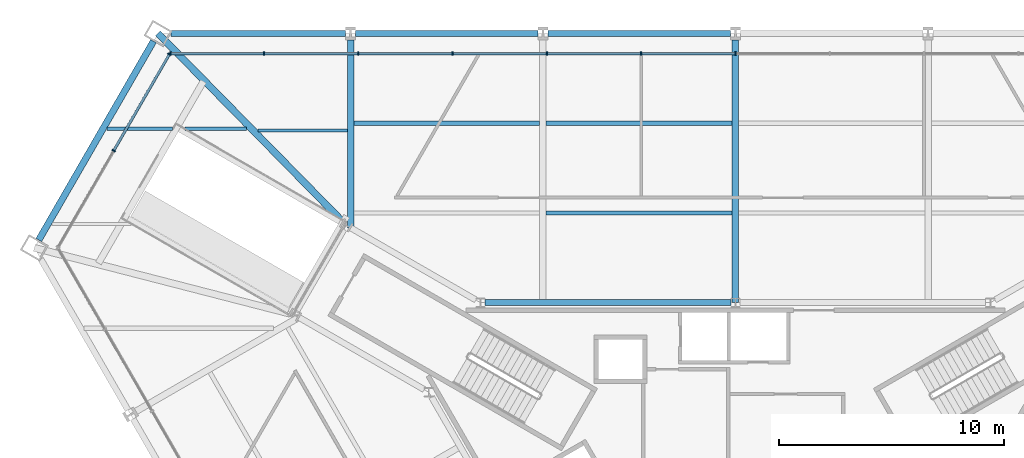
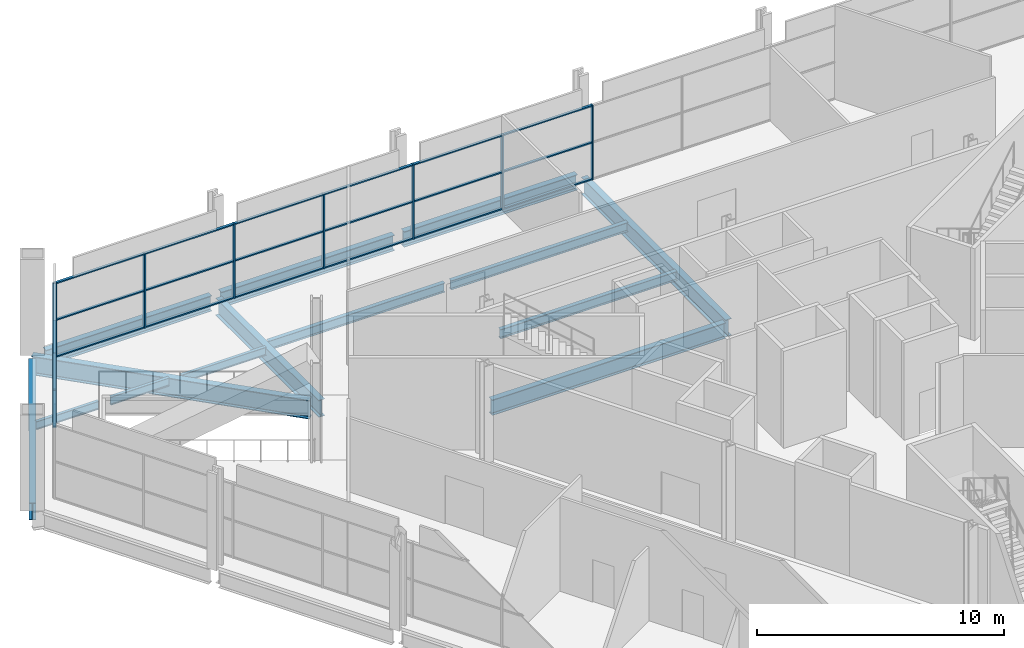
# One storey, part 7 of 18: 30 members, 14 beams, 2 elements without a shape of their own.
"""IFC4 building model written with IfcOpenShell, lengths in metres."""

from ifc_helpers import new_model, si_unit, direction, frame, origin, origin_2d, place, context, subcontext, project, spatial, rectangle, i_section, extrude, material, layer, layer_set, material_profile, profile_set, type_object, element, aggregate, save


model = new_model("IFC4")

# Units and contexts
model_context = context("Model", 3, precision=1e-05, world=origin(), true_north=direction((0.0, 1.0)))
body_context = subcontext(model_context, "Body", "Model", "MODEL_VIEW")
ifc_project = project(units=[si_unit("LENGTHUNIT", "METRE"), si_unit("AREAUNIT", "SQUARE_METRE"), si_unit("VOLUMEUNIT", "CUBIC_METRE"), si_unit("PLANEANGLEUNIT", "RADIAN"), si_unit("MASSUNIT", "GRAM", prefix="KILO")], contexts=[model_context])

# Site, building, storey
site_placement = place(None, origin())
site = spatial("IfcSite", under=ifc_project, at=site_placement, CompositionType="ELEMENT")
building_placement = place(site_placement, origin())
building = spatial("IfcBuilding", under=site, at=building_placement, Name="Verrane Prism Tower", CompositionType="ELEMENT")
storey_placement = place(building_placement, frame((0.0, 0.0, 27.199951171875)))
storey = spatial("IfcBuildingStorey", under=building, at=storey_placement, Name="L04", CompositionType="ELEMENT", Elevation=27.199951171875)

# Curtain wall, members
ifc_material_1 = material(Name="Aluminium and glass curtain wall", Category="aluminium")
ifc_layer = layer(ifc_material_1, 0.199951171875)
ifc_layer_set = layer_set([ifc_layer], Name="CWB-1 retail curtain wall")
curtain_wall_type = type_object("IfcCurtainWallType", Name="CWB-1 retail curtain wall", PredefinedType="NOTDEFINED", material=ifc_layer_set)
curtain_wall_1_placement = place(storey_placement, origin())
curtain_wall_1 = element("IfcCurtainWall", 1, at=curtain_wall_1_placement, inside=storey, type_object=curtain_wall_type, Name="Retail curtain wall L04 2", PredefinedType="NOTDEFINED")
ifc_material_2 = material(Name="Aluminium", Category="aluminium")
ifc_material_profile_1 = material_profile(ifc_material_2, rectangle(XDim=0.159912109375, YDim=0.06005859375, at=origin_2d()), Name="CWB-M 60x160 mullion")
ifc_profile_set_1 = profile_set([ifc_material_profile_1], Name="Aluminium")
member_type_1 = type_object("IfcMemberType", Name="CWB-M 60x160 mullion", PredefinedType="MULLION", material=ifc_profile_set_1)
member_1_placement = place(storey_placement, frame((0.0, 20.27001953125, 0.0), z_axis=(0.0, 0.0, 1.0), x_axis=(0.0, -1.0, 0.0)))
member_1 = element("IfcMember", 2, at=member_1_placement, type_object=member_type_1, Name="CWB42 mullion 7", PredefinedType="MULLION", context=body_context, shape_type="SweptSolid", body=[
    extrude(rectangle(XDim=0.159912109375, YDim=0.06005859375, at=origin_2d()), origin(), (0.0, 0.0, 1.0), 3.68994140625),
])
member_2_placement = place(storey_placement, frame((-4.19140625, 20.27001953125, 0.0), z_axis=(0.0, 0.0, 1.0), x_axis=(0.0, -1.0, 0.0)))
member_2 = element("IfcMember", 3, at=member_2_placement, type_object=member_type_1, Name="CWB42 mullion 8", PredefinedType="MULLION", context=body_context, shape_type="SweptSolid", body=[
    extrude(rectangle(XDim=0.159912109375, YDim=0.06005859375, at=origin_2d()), origin(), (0.0, 0.0, 1.0), 3.68994140625),
])
member_3_placement = place(storey_placement, frame((-8.382568359375, 20.27001953125, 0.0), z_axis=(0.0, 0.0, 1.0), x_axis=(0.0, -1.0, 0.0)))
member_3 = element("IfcMember", 4, at=member_3_placement, type_object=member_type_1, Name="CWB42 mullion 9", PredefinedType="MULLION", context=body_context, shape_type="SweptSolid", body=[
    extrude(rectangle(XDim=0.159912109375, YDim=0.06005859375, at=origin_2d()), origin(), (0.0, 0.0, 1.0), 3.68994140625),
])
member_4_placement = place(storey_placement, frame((-12.573974609375, 20.27001953125, 0.0), z_axis=(0.0, 0.0, 1.0), x_axis=(0.0, -1.0, 0.0)))
member_4 = element("IfcMember", 5, at=member_4_placement, type_object=member_type_1, Name="CWB42 mullion 10", PredefinedType="MULLION", context=body_context, shape_type="SweptSolid", body=[
    extrude(rectangle(XDim=0.159912109375, YDim=0.06005859375, at=origin_2d()), origin(), (0.0, 0.0, 1.0), 3.68994140625),
])
member_5_placement = place(storey_placement, frame((-16.76513671875, 20.27001953125, 0.0), z_axis=(0.0, 0.0, 1.0), x_axis=(0.0, -1.0, 0.0)))
member_5 = element("IfcMember", 6, at=member_5_placement, type_object=member_type_1, Name="CWB42 mullion 11", PredefinedType="MULLION", context=body_context, shape_type="SweptSolid", body=[
    extrude(rectangle(XDim=0.159912109375, YDim=0.06005859375, at=origin_2d()), origin(), (0.0, 0.0, 1.0), 3.68994140625),
])
member_6_placement = place(storey_placement, frame((-20.95654296875, 20.27001953125, 0.0), z_axis=(0.0, 0.0, 1.0), x_axis=(0.0, -1.0, 0.0)))
member_6 = element("IfcMember", 7, at=member_6_placement, type_object=member_type_1, Name="CWB42 mullion 12", PredefinedType="MULLION", context=body_context, shape_type="SweptSolid", body=[
    extrude(rectangle(XDim=0.159912109375, YDim=0.06005859375, at=origin_2d()), origin(), (0.0, 0.0, 1.0), 3.68994140625),
])
member_7_placement = place(storey_placement, frame((-25.117919921875, 20.27001953125, 0.0), z_axis=(0.0, 0.0, 1.0), x_axis=(0.0, -1.0, 0.0)))
member_7 = element("IfcMember", 8, at=member_7_placement, type_object=member_type_1, Name="CWB42 mullion 13", PredefinedType="MULLION", context=body_context, shape_type="SweptSolid", body=[
    extrude(rectangle(XDim=0.159912109375, YDim=0.06005859375, at=origin_2d()), origin(), (0.0, 0.0, 1.0), 3.68994140625),
])

curtain_wall_2_placement = place(storey_placement, origin())
curtain_wall_2 = element("IfcCurtainWall", 9, at=curtain_wall_2_placement, inside=storey, type_object=curtain_wall_type, Name="Retail curtain wall L04 3", PredefinedType="NOTDEFINED")
member_8_placement = place(storey_placement, frame((-25.162841796875, 20.244140625, 0.0), z_axis=(0.0, 0.0, 1.0), x_axis=(0.866025871, -0.499999190758, 0.0)))
member_8 = element("IfcMember", 10, at=member_8_placement, type_object=member_type_1, Name="CWB43 mullion 1", PredefinedType="MULLION", context=body_context, shape_type="SweptSolid", body=[
    extrude(rectangle(XDim=0.159912109375, YDim=0.06005859375, at=origin_2d()), origin(), (0.0, 0.0, 1.0), 3.68994140625),
])
member_9_placement = place(storey_placement, frame((-27.63818359375, 15.956787109375, 0.0), z_axis=(0.0, 0.0, 1.0), x_axis=(0.866025871, -0.499999190758, 0.0)))
member_9 = element("IfcMember", 11, at=member_9_placement, type_object=member_type_1, Name="CWB43 mullion 2", PredefinedType="MULLION", context=body_context, shape_type="SweptSolid", body=[
    extrude(rectangle(XDim=0.159912109375, YDim=0.06005859375, at=origin_2d()), origin(), (0.0, 0.0, 1.0), 3.68994140625),
])

# Member
ifc_material_3 = material(Name="Aluminium", Category="aluminium")
ifc_material_profile_2 = material_profile(ifc_material_3, rectangle(XDim=0.1201171875, YDim=0.06005859375, at=origin_2d()), Name="CWB-T 60x120 transom")
ifc_profile_set_2 = profile_set([ifc_material_profile_2], Name="Aluminium")
member_type_2 = type_object("IfcMemberType", Name="CWB-T 60x120 transom", PredefinedType="USERDEFINED", material=ifc_profile_set_2)
member_10_placement = place(storey_placement, frame((-0.030029296875, 20.27001953125, 0.030029296875), z_axis=(-1.0, 0.0, 0.0), x_axis=(0.0, -1.0, 0.0)))
member_10 = element("IfcMember", 12, at=member_10_placement, type_object=member_type_2, Name="CWB42 transom 7.1", ObjectType="TRANSOM", PredefinedType="USERDEFINED", context=body_context, shape_type="SweptSolid", body=[
    extrude(rectangle(XDim=0.1201171875, YDim=0.06005859375, at=origin_2d()), origin(), (0.0, 0.0, 1.0), 4.13134765625),
])

member_11_placement = place(storey_placement, frame((-0.030029296875, 20.27001953125, 1.844970703125), z_axis=(-1.0, 0.0, 0.0), x_axis=(0.0, -1.0, 0.0)))
member_11 = element("IfcMember", 13, at=member_11_placement, type_object=member_type_2, Name="CWB42 transom 7.2", ObjectType="TRANSOM", PredefinedType="USERDEFINED", context=body_context, shape_type="SweptSolid", body=[
    extrude(rectangle(XDim=0.1201171875, YDim=0.06005859375, at=origin_2d()), origin(), (0.0, 0.0, 1.0), 4.13134765625),
])

member_12_placement = place(storey_placement, frame((-0.030029296875, 20.27001953125, 3.66015625), z_axis=(-1.0, 0.0, 0.0), x_axis=(0.0, -1.0, 0.0)))
member_12 = element("IfcMember", 14, at=member_12_placement, type_object=member_type_2, Name="CWB42 transom 7.3", ObjectType="TRANSOM", PredefinedType="USERDEFINED", context=body_context, shape_type="SweptSolid", body=[
    extrude(rectangle(XDim=0.1201171875, YDim=0.06005859375, at=origin_2d()), origin(), (0.0, 0.0, 1.0), 4.13134765625),
])

member_13_placement = place(storey_placement, frame((-4.221435546875, 20.27001953125, 0.030029296875), z_axis=(-1.0, 0.0, 0.0), x_axis=(0.0, -1.0, 0.0)))
member_13 = element("IfcMember", 15, at=member_13_placement, type_object=member_type_2, Name="CWB42 transom 8.1", ObjectType="TRANSOM", PredefinedType="USERDEFINED", context=body_context, shape_type="SweptSolid", body=[
    extrude(rectangle(XDim=0.1201171875, YDim=0.06005859375, at=origin_2d()), origin(), (0.0, 0.0, 1.0), 4.131103515625),
])

member_14_placement = place(storey_placement, frame((-4.221435546875, 20.27001953125, 1.844970703125), z_axis=(-1.0, 0.0, 0.0), x_axis=(0.0, -1.0, 0.0)))
member_14 = element("IfcMember", 16, at=member_14_placement, type_object=member_type_2, Name="CWB42 transom 8.2", ObjectType="TRANSOM", PredefinedType="USERDEFINED", context=body_context, shape_type="SweptSolid", body=[
    extrude(rectangle(XDim=0.1201171875, YDim=0.06005859375, at=origin_2d()), origin(), (0.0, 0.0, 1.0), 4.131103515625),
])

member_15_placement = place(storey_placement, frame((-4.221435546875, 20.27001953125, 3.66015625), z_axis=(-1.0, 0.0, 0.0), x_axis=(0.0, -1.0, 0.0)))
member_15 = element("IfcMember", 17, at=member_15_placement, type_object=member_type_2, Name="CWB42 transom 8.3", ObjectType="TRANSOM", PredefinedType="USERDEFINED", context=body_context, shape_type="SweptSolid", body=[
    extrude(rectangle(XDim=0.1201171875, YDim=0.06005859375, at=origin_2d()), origin(), (0.0, 0.0, 1.0), 4.131103515625),
])

member_16_placement = place(storey_placement, frame((-8.41259765625, 20.27001953125, 0.030029296875), z_axis=(-1.0, 0.0, 0.0), x_axis=(0.0, -1.0, 0.0)))
member_16 = element("IfcMember", 18, at=member_16_placement, type_object=member_type_2, Name="CWB42 transom 9.1", ObjectType="TRANSOM", PredefinedType="USERDEFINED", context=body_context, shape_type="SweptSolid", body=[
    extrude(rectangle(XDim=0.1201171875, YDim=0.06005859375, at=origin_2d()), origin(), (0.0, 0.0, 1.0), 4.13134765625),
])

member_17_placement = place(storey_placement, frame((-8.41259765625, 20.27001953125, 1.844970703125), z_axis=(-1.0, 0.0, 0.0), x_axis=(0.0, -1.0, 0.0)))
member_17 = element("IfcMember", 19, at=member_17_placement, type_object=member_type_2, Name="CWB42 transom 9.2", ObjectType="TRANSOM", PredefinedType="USERDEFINED", context=body_context, shape_type="SweptSolid", body=[
    extrude(rectangle(XDim=0.1201171875, YDim=0.06005859375, at=origin_2d()), origin(), (0.0, 0.0, 1.0), 4.13134765625),
])

member_18_placement = place(storey_placement, frame((-8.41259765625, 20.27001953125, 3.66015625), z_axis=(-1.0, 0.0, 0.0), x_axis=(0.0, -1.0, 0.0)))
member_18 = element("IfcMember", 20, at=member_18_placement, type_object=member_type_2, Name="CWB42 transom 9.3", ObjectType="TRANSOM", PredefinedType="USERDEFINED", context=body_context, shape_type="SweptSolid", body=[
    extrude(rectangle(XDim=0.1201171875, YDim=0.06005859375, at=origin_2d()), origin(), (0.0, 0.0, 1.0), 4.13134765625),
])

member_19_placement = place(storey_placement, frame((-12.60400390625, 20.27001953125, 0.030029296875), z_axis=(-1.0, 0.0, 0.0), x_axis=(0.0, -1.0, 0.0)))
member_19 = element("IfcMember", 21, at=member_19_placement, type_object=member_type_2, Name="CWB42 transom 10.1", ObjectType="TRANSOM", PredefinedType="USERDEFINED", context=body_context, shape_type="SweptSolid", body=[
    extrude(rectangle(XDim=0.1201171875, YDim=0.06005859375, at=origin_2d()), origin(), (0.0, 0.0, 1.0), 4.13134765625),
])

member_20_placement = place(storey_placement, frame((-12.60400390625, 20.27001953125, 1.844970703125), z_axis=(-1.0, 0.0, 0.0), x_axis=(0.0, -1.0, 0.0)))
member_20 = element("IfcMember", 22, at=member_20_placement, type_object=member_type_2, Name="CWB42 transom 10.2", ObjectType="TRANSOM", PredefinedType="USERDEFINED", context=body_context, shape_type="SweptSolid", body=[
    extrude(rectangle(XDim=0.1201171875, YDim=0.06005859375, at=origin_2d()), origin(), (0.0, 0.0, 1.0), 4.13134765625),
])

member_21_placement = place(storey_placement, frame((-12.60400390625, 20.27001953125, 3.66015625), z_axis=(-1.0, 0.0, 0.0), x_axis=(0.0, -1.0, 0.0)))
member_21 = element("IfcMember", 23, at=member_21_placement, type_object=member_type_2, Name="CWB42 transom 10.3", ObjectType="TRANSOM", PredefinedType="USERDEFINED", context=body_context, shape_type="SweptSolid", body=[
    extrude(rectangle(XDim=0.1201171875, YDim=0.06005859375, at=origin_2d()), origin(), (0.0, 0.0, 1.0), 4.13134765625),
])

member_22_placement = place(storey_placement, frame((-16.795166015625, 20.27001953125, 0.030029296875), z_axis=(-1.0, 0.0, 0.0), x_axis=(0.0, -1.0, 0.0)))
member_22 = element("IfcMember", 24, at=member_22_placement, type_object=member_type_2, Name="CWB42 transom 11.1", ObjectType="TRANSOM", PredefinedType="USERDEFINED", context=body_context, shape_type="SweptSolid", body=[
    extrude(rectangle(XDim=0.1201171875, YDim=0.06005859375, at=origin_2d()), origin(), (0.0, 0.0, 1.0), 4.13134765625),
])

member_23_placement = place(storey_placement, frame((-16.795166015625, 20.27001953125, 1.844970703125), z_axis=(-1.0, 0.0, 0.0), x_axis=(0.0, -1.0, 0.0)))
member_23 = element("IfcMember", 25, at=member_23_placement, type_object=member_type_2, Name="CWB42 transom 11.2", ObjectType="TRANSOM", PredefinedType="USERDEFINED", context=body_context, shape_type="SweptSolid", body=[
    extrude(rectangle(XDim=0.1201171875, YDim=0.06005859375, at=origin_2d()), origin(), (0.0, 0.0, 1.0), 4.13134765625),
])

member_24_placement = place(storey_placement, frame((-16.795166015625, 20.27001953125, 3.66015625), z_axis=(-1.0, 0.0, 0.0), x_axis=(0.0, -1.0, 0.0)))
member_24 = element("IfcMember", 26, at=member_24_placement, type_object=member_type_2, Name="CWB42 transom 11.3", ObjectType="TRANSOM", PredefinedType="USERDEFINED", context=body_context, shape_type="SweptSolid", body=[
    extrude(rectangle(XDim=0.1201171875, YDim=0.06005859375, at=origin_2d()), origin(), (0.0, 0.0, 1.0), 4.13134765625),
])

member_25_placement = place(storey_placement, frame((-20.986572265625, 20.27001953125, 0.030029296875), z_axis=(-1.0, 0.0, 0.0), x_axis=(0.0, -1.0, 0.0)))
member_25 = element("IfcMember", 27, at=member_25_placement, type_object=member_type_2, Name="CWB42 transom 12.1", ObjectType="TRANSOM", PredefinedType="USERDEFINED", context=body_context, shape_type="SweptSolid", body=[
    extrude(rectangle(XDim=0.1201171875, YDim=0.06005859375, at=origin_2d()), origin(), (0.0, 0.0, 1.0), 4.101318359375),
])

member_26_placement = place(storey_placement, frame((-20.986572265625, 20.27001953125, 1.844970703125), z_axis=(-1.0, 0.0, 0.0), x_axis=(0.0, -1.0, 0.0)))
member_26 = element("IfcMember", 28, at=member_26_placement, type_object=member_type_2, Name="CWB42 transom 12.2", ObjectType="TRANSOM", PredefinedType="USERDEFINED", context=body_context, shape_type="SweptSolid", body=[
    extrude(rectangle(XDim=0.1201171875, YDim=0.06005859375, at=origin_2d()), origin(), (0.0, 0.0, 1.0), 4.101318359375),
])

member_27_placement = place(storey_placement, frame((-20.986572265625, 20.27001953125, 3.66015625), z_axis=(-1.0, 0.0, 0.0), x_axis=(0.0, -1.0, 0.0)))
member_27 = element("IfcMember", 29, at=member_27_placement, type_object=member_type_2, Name="CWB42 transom 12.3", ObjectType="TRANSOM", PredefinedType="USERDEFINED", context=body_context, shape_type="SweptSolid", body=[
    extrude(rectangle(XDim=0.1201171875, YDim=0.06005859375, at=origin_2d()), origin(), (0.0, 0.0, 1.0), 4.101318359375),
])

aggregate(curtain_wall_1, [member_1, member_2, member_3, member_4, member_5, member_6, member_7, member_10, member_11, member_12, member_13, member_14, member_15, member_16, member_17, member_18, member_19, member_20, member_21, member_22, member_23, member_24, member_25, member_26, member_27])

member_28_placement = place(storey_placement, frame((-25.177978515625, 20.218017578125, 0.030029296875), z_axis=(-0.499988949793, -0.86603178353, 0.0), x_axis=(0.86603178353, -0.499988949793, 0.0)))
member_28 = element("IfcMember", 30, at=member_28_placement, type_object=member_type_2, Name="CWB43 transom 1.1", ObjectType="TRANSOM", PredefinedType="USERDEFINED", context=body_context, shape_type="SweptSolid", body=[
    extrude(rectangle(XDim=0.1201171875, YDim=0.06005859375, at=origin_2d()), origin(), (0.0, 0.0, 1.0), 4.89013671875),
])

member_29_placement = place(storey_placement, frame((-25.177978515625, 20.218017578125, 1.844970703125), z_axis=(-0.499988949793, -0.86603178353, 0.0), x_axis=(0.86603178353, -0.499988949793, 0.0)))
member_29 = element("IfcMember", 31, at=member_29_placement, type_object=member_type_2, Name="CWB43 transom 1.2", ObjectType="TRANSOM", PredefinedType="USERDEFINED", context=body_context, shape_type="SweptSolid", body=[
    extrude(rectangle(XDim=0.1201171875, YDim=0.06005859375, at=origin_2d()), origin(), (0.0, 0.0, 1.0), 4.89013671875),
])

member_30_placement = place(storey_placement, frame((-25.177978515625, 20.218017578125, 3.66015625), z_axis=(-0.499988949793, -0.86603178353, 0.0), x_axis=(0.86603178353, -0.499988949793, 0.0)))
member_30 = element("IfcMember", 32, at=member_30_placement, type_object=member_type_2, Name="CWB43 transom 1.3", ObjectType="TRANSOM", PredefinedType="USERDEFINED", context=body_context, shape_type="SweptSolid", body=[
    extrude(rectangle(XDim=0.1201171875, YDim=0.06005859375, at=origin_2d()), origin(), (0.0, 0.0, 1.0), 4.89013671875),
])

aggregate(curtain_wall_2, [member_8, member_9, member_28, member_29, member_30])

# Beams
ifc_material_4 = material(Name="Steel A992", Category="steel")
ifc_material_profile_3 = material_profile(ifc_material_4, i_section(OverallWidth=0.2919921875, OverallDepth=0.845703125, WebThickness=0.015380859375, FlangeThickness=0.0244140625, FilletRadius=0.017822265625, at=origin_2d()), Name="W33x141")
ifc_profile_set_3 = profile_set([ifc_material_profile_3], Name="Steel A992")
beam_type_1 = type_object("IfcBeamType", Name="Chamfer spandrel beam W33x141", PredefinedType="SPANDREL", material=ifc_profile_set_3)
beam_1_placement = place(storey_placement, frame((-25.869873046875, 20.823486328125, -0.582763671875), z_axis=(-0.49986813558, -0.866101522359, 0.0), x_axis=(0.866101522359, -0.49986813558, 0.0)))
element("IfcBeam", 33, at=beam_1_placement, inside=storey, type_object=beam_type_1, Name="Chamfer spandrel beam L04", PredefinedType="SPANDREL", context=body_context, shape_type="SweptSolid", body=[
    extrude(i_section(OverallWidth=0.2919921875, OverallDepth=0.845703125, WebThickness=0.015380859375, FlangeThickness=0.0244140625, FilletRadius=0.017822265625, at=origin_2d()), origin(), (0.0, 0.0, 1.0), 10.203369140625),
])
ifc_material_5 = material(Name="Steel A992", Category="steel")
ifc_material_profile_4 = material_profile(ifc_material_5, i_section(OverallWidth=0.2666015625, OverallDepth=0.76708984375, WebThickness=0.014892578125, FlangeThickness=0.023681640625, FilletRadius=0.0166015625, at=origin_2d()), Name="W30x124")
ifc_profile_set_4 = profile_set([ifc_material_profile_4], Name="Steel A992")
beam_type_2 = type_object("IfcBeamType", Name="Core ring girder W30x124", PredefinedType="BEAM", material=ifc_profile_set_4)
beam_2_placement = place(storey_placement, frame((-0.205810546875, 9.199951171875, -0.633544921875), z_axis=(-1.0, 0.0, 0.0), x_axis=(0.0, -1.0, 0.0)))
element("IfcBeam", 34, at=beam_2_placement, inside=storey, type_object=beam_type_2, Name="Core ring girder L04", PredefinedType="BEAM", context=body_context, shape_type="SweptSolid", body=[
    extrude(i_section(OverallWidth=0.2666015625, OverallDepth=0.76708984375, WebThickness=0.014892578125, FlangeThickness=0.023681640625, FilletRadius=0.0166015625, at=origin_2d()), origin(), (0.0, 0.0, 1.0), 10.91845703125),
])
ifc_material_6 = material(Name="Steel A992", Category="steel")
ifc_material_profile_5 = material_profile(ifc_material_6, i_section(OverallWidth=0.307373046875, OverallDepth=0.927001953125, WebThickness=0.01953125, FlangeThickness=0.031982421875, FilletRadius=0.01904296875, at=origin_2d()), Name="W36x194")
ifc_profile_set_5 = profile_set([ifc_material_profile_5], Name="Steel A992")
beam_type_3 = type_object("IfcBeamType", Name="Corner girder W36x194", PredefinedType="BEAM", material=ifc_profile_set_5)
beam_3_placement = place(storey_placement, frame((-25.66845703125, 21.16845703125, -0.68359375), z_axis=(0.700377975453, -0.713772156574, 0.0), x_axis=(0.713772156574, 0.700377975453, 0.0)))
element("IfcBeam", 35, at=beam_3_placement, inside=storey, type_object=beam_type_3, Name="Corner girder L04", PredefinedType="BEAM", context=body_context, shape_type="SweptSolid", body=[
    extrude(i_section(OverallWidth=0.307373046875, OverallDepth=0.927001953125, WebThickness=0.01953125, FlangeThickness=0.031982421875, FilletRadius=0.01904296875, at=origin_2d()), origin(), (0.0, 0.0, 1.0), 11.701904296875),
])
ifc_material_7 = material(Name="Steel A992", Category="steel")
ifc_material_profile_6 = material_profile(ifc_material_7, i_section(OverallWidth=0.140380859375, OverallDepth=0.40380859375, WebThickness=0.007080078125, FlangeThickness=0.01123046875, FilletRadius=0.01025390625, at=origin_2d()), Name="W16x31")
ifc_profile_set_6 = profile_set([ifc_material_profile_6], Name="Steel A992")
beam_type_4 = type_object("IfcBeamType", Name="Floor beam W16x31", PredefinedType="BEAM", material=ifc_profile_set_6)
beam_4_placement = place(storey_placement, frame((-21.21728515625, 16.85009765625, -0.36181640625), z_axis=(1.0, 0.0, 0.0), x_axis=(0.0, 1.0, 0.0)))
element("IfcBeam", 36, at=beam_4_placement, inside=storey, type_object=beam_type_4, Name="Floor beam L04", PredefinedType="BEAM", context=body_context, shape_type="SweptSolid", body=[
    extrude(i_section(OverallWidth=0.140380859375, OverallDepth=0.40380859375, WebThickness=0.007080078125, FlangeThickness=0.01123046875, FilletRadius=0.01025390625, at=origin_2d()), origin(), (0.0, 0.0, 1.0), 3.961181640625),
])
beam_5_placement = place(storey_placement, frame((-27.945556640625, 16.93505859375, -0.36181640625), z_axis=(1.0, 0.0, 0.0), x_axis=(0.0, 1.0, 0.0)))
element("IfcBeam", 37, at=beam_5_placement, inside=storey, type_object=beam_type_4, Name="Floor beam L04", PredefinedType="BEAM", context=body_context, shape_type="SweptSolid", body=[
    extrude(i_section(OverallWidth=0.140380859375, OverallDepth=0.40380859375, WebThickness=0.007080078125, FlangeThickness=0.01123046875, FilletRadius=0.01025390625, at=origin_2d()), origin(), (0.0, 0.0, 1.0), 2.9150390625),
])
beam_6_placement = place(storey_placement, frame((-24.467529296875, 16.93505859375, -0.36181640625), z_axis=(1.0, 0.0, 0.0), x_axis=(0.0, 1.0, 0.0)))
element("IfcBeam", 38, at=beam_6_placement, inside=storey, type_object=beam_type_4, Name="Floor beam L04", PredefinedType="BEAM", context=body_context, shape_type="SweptSolid", body=[
    extrude(i_section(OverallWidth=0.140380859375, OverallDepth=0.40380859375, WebThickness=0.007080078125, FlangeThickness=0.01123046875, FilletRadius=0.01025390625, at=origin_2d()), origin(), (0.0, 0.0, 1.0), 2.73681640625),
])
ifc_material_8 = material(Name="Steel A992", Category="steel")
ifc_material_profile_7 = material_profile(ifc_material_8, i_section(OverallWidth=0.1904296875, OverallDepth=0.457275390625, WebThickness=0.009033203125, FlangeThickness=0.014404296875, FilletRadius=0.01025390625, at=origin_2d()), Name="W18x50")
ifc_profile_set_7 = profile_set([ifc_material_profile_7], Name="Steel A992")
beam_type_5 = type_object("IfcBeamType", Name="Floor beam W18x50", PredefinedType="BEAM", material=ifc_profile_set_7)
for number, where, z_axis, x_axis, name in (
    (39, (-8.4140625, 13.18994140625, -0.388671875), (1.0, 0.0, 0.0), (0.0, 1.0, 0.0), "Floor beam L04"),
    (40, (-8.4140625, 17.179931640625, -0.388671875), (1.0, 0.0, 0.0), (0.0, 1.0, 0.0), "Floor beam L04"),
):
    element("IfcBeam", number, at=place(storey_placement, frame(where, z_axis=z_axis, x_axis=x_axis)), inside=storey, type_object=beam_type_5, Name=name, PredefinedType="BEAM", context=body_context, shape_type="SweptSolid", body=[
        extrude(i_section(OverallWidth=0.1904296875, OverallDepth=0.457275390625, WebThickness=0.009033203125, FlangeThickness=0.014404296875, FilletRadius=0.01025390625, at=origin_2d()), origin(), (0.0, 0.0, 1.0), 8.26806640625),
    ])
beam_7_placement = place(storey_placement, frame((-16.964111328125, 17.179931640625, -0.388671875), z_axis=(1.0, 0.0, 0.0), x_axis=(0.0, 1.0, 0.0)))
element("IfcBeam", 41, at=beam_7_placement, inside=storey, type_object=beam_type_5, Name="Floor beam L04", PredefinedType="BEAM", context=body_context, shape_type="SweptSolid", body=[
    extrude(i_section(OverallWidth=0.1904296875, OverallDepth=0.457275390625, WebThickness=0.009033203125, FlangeThickness=0.014404296875, FilletRadius=0.01025390625, at=origin_2d()), origin(), (0.0, 0.0, 1.0), 8.258056640625),
])
ifc_material_9 = material(Name="Steel A992", Category="steel")
ifc_material_profile_8 = material_profile(ifc_material_9, i_section(OverallWidth=0.2919921875, OverallDepth=0.845703125, WebThickness=0.015380859375, FlangeThickness=0.0244140625, FilletRadius=0.017822265625, at=origin_2d()), Name="W33x141")
ifc_profile_set_8 = profile_set([ifc_material_profile_8], Name="Steel A992")
beam_type_6 = type_object("IfcBeamType", Name="Radial girder W33x141", PredefinedType="BEAM", material=ifc_profile_set_8)
beam_8_placement = place(storey_placement, frame((0.0, 20.885498046875, -0.642822265625), z_axis=(0.0, -1.0, 0.0), x_axis=(1.0, 0.0, 0.0)))
element("IfcBeam", 42, at=beam_8_placement, inside=storey, type_object=beam_type_6, Name="Radial girder L04", PredefinedType="BEAM", context=body_context, shape_type="SweptSolid", body=[
    extrude(i_section(OverallWidth=0.2919921875, OverallDepth=0.845703125, WebThickness=0.015380859375, FlangeThickness=0.0244140625, FilletRadius=0.017822265625, at=origin_2d()), origin(), (0.0, 0.0, 1.0), 11.685546875),
])
beam_9_placement = place(storey_placement, frame((-17.110107421875, 20.885498046875, -0.642822265625), z_axis=(0.0, -1.0, 0.0), x_axis=(1.0, 0.0, 0.0)))
element("IfcBeam", 43, at=beam_9_placement, inside=storey, type_object=beam_type_6, Name="Radial girder L04", PredefinedType="BEAM", context=body_context, shape_type="SweptSolid", body=[
    extrude(i_section(OverallWidth=0.2919921875, OverallDepth=0.845703125, WebThickness=0.015380859375, FlangeThickness=0.0244140625, FilletRadius=0.017822265625, at=origin_2d()), origin(), (0.0, 0.0, 1.0), 8.35498046875),
])
ifc_material_10 = material(Name="Steel A992", Category="steel")
ifc_material_profile_9 = material_profile(ifc_material_10, i_section(OverallWidth=0.2666015625, OverallDepth=0.76708984375, WebThickness=0.014892578125, FlangeThickness=0.023681640625, FilletRadius=0.0166015625, at=origin_2d()), Name="W30x124")
ifc_profile_set_9 = profile_set([ifc_material_profile_9], Name="Steel A992")
beam_type_7 = type_object("IfcBeamType", Name="Spandrel beam W30x124", PredefinedType="SPANDREL", material=ifc_profile_set_9)
beam_10_placement = place(storey_placement, frame((-0.227294921875, 21.169921875, -0.54345703125), z_axis=(-1.0, 0.0, 0.0), x_axis=(0.0, -1.0, 0.0)))
element("IfcBeam", 44, at=beam_10_placement, inside=storey, type_object=beam_type_7, Name="Spandrel beam L04", PredefinedType="SPANDREL", context=body_context, shape_type="SweptSolid", body=[
    extrude(i_section(OverallWidth=0.2666015625, OverallDepth=0.76708984375, WebThickness=0.014892578125, FlangeThickness=0.023681640625, FilletRadius=0.0166015625, at=origin_2d()), origin(), (0.0, 0.0, 1.0), 8.10546875),
])
beam_11_placement = place(storey_placement, frame((-8.787353515625, 21.169921875, -0.54345703125), z_axis=(-1.0, 0.0, 0.0), x_axis=(0.0, -1.0, 0.0)))
element("IfcBeam", 45, at=beam_11_placement, inside=storey, type_object=beam_type_7, Name="Spandrel beam L04", PredefinedType="SPANDREL", context=body_context, shape_type="SweptSolid", body=[
    extrude(i_section(OverallWidth=0.2666015625, OverallDepth=0.76708984375, WebThickness=0.014892578125, FlangeThickness=0.023681640625, FilletRadius=0.0166015625, at=origin_2d()), origin(), (0.0, 0.0, 1.0), 8.095458984375),
])
beam_12_placement = place(storey_placement, frame((-17.33740234375, 21.169921875, -0.54345703125), z_axis=(-1.0, 0.0, 0.0), x_axis=(0.0, -1.0, 0.0)))
element("IfcBeam", 46, at=beam_12_placement, inside=storey, type_object=beam_type_7, Name="Spandrel beam L04", PredefinedType="SPANDREL", context=body_context, shape_type="SweptSolid", body=[
    extrude(i_section(OverallWidth=0.2666015625, OverallDepth=0.76708984375, WebThickness=0.014892578125, FlangeThickness=0.023681640625, FilletRadius=0.0166015625, at=origin_2d()), origin(), (0.0, 0.0, 1.0), 7.755126953125),
])

save(model, "model.ifc")
